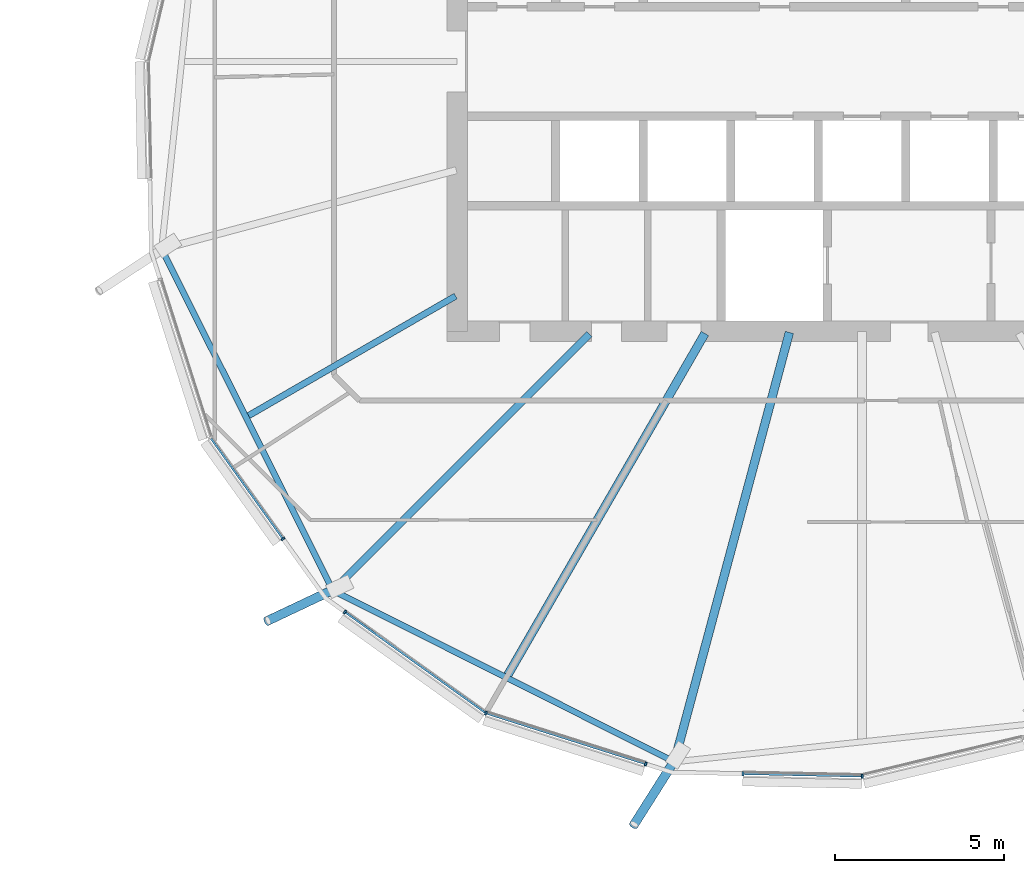
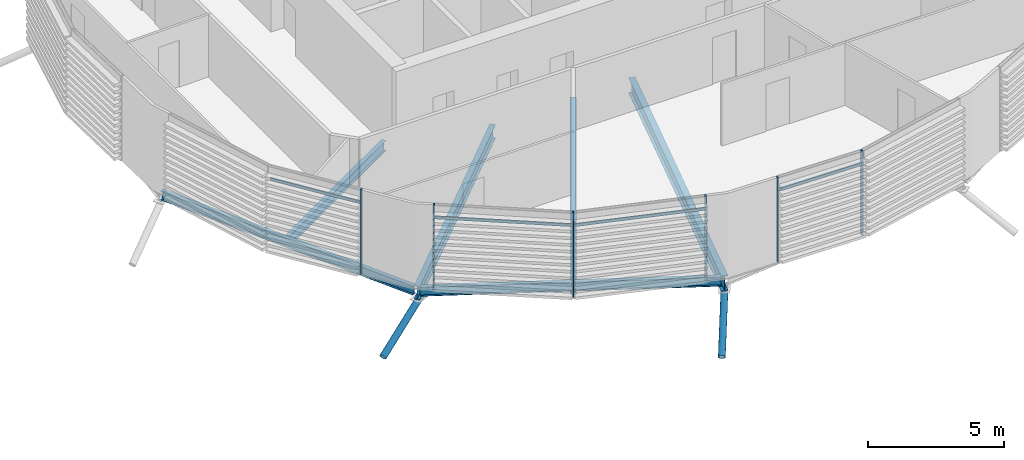
# One storey, part 12 of 37: 12 members, 6 beams, 1 element without a shape of its own.
"""IFC4 building model written with IfcOpenShell, lengths in metres."""

from ifc_helpers import new_model, si_unit, direction, frame, origin, origin_2d, place, context, subcontext, project, spatial, rectangle, hollow_circle, i_section, extrude, clip, halfspace, material, material_profile, profile_set, type_object, element, aggregate, save


model = new_model("IFC4")

# Units and contexts
model_context = context("Model", 3, precision=1e-05, world=origin(), true_north=direction((0.0, 1.0)))
body_context = subcontext(model_context, "Body", "Model", "MODEL_VIEW")
ifc_project = project(units=[si_unit("LENGTHUNIT", "METRE"), si_unit("AREAUNIT", "SQUARE_METRE"), si_unit("VOLUMEUNIT", "CUBIC_METRE"), si_unit("PLANEANGLEUNIT", "RADIAN"), si_unit("MASSUNIT", "GRAM", prefix="KILO")], contexts=[model_context])

# Site, building, storey
site_placement = place(None, origin())
site = spatial("IfcSite", under=ifc_project, at=site_placement, CompositionType="ELEMENT")
building_placement = place(site_placement, origin())
building = spatial("IfcBuilding", under=site, at=building_placement, Name="Rimbun Link Towers", CompositionType="ELEMENT")
storey_placement = place(building_placement, frame((0.0, 0.0, 162.699951171875)))
storey = spatial("IfcBuildingStorey", under=building, at=storey_placement, Name="L39", CompositionType="ELEMENT", Elevation=162.699951171875)

# Curtain wall, members
ifc_material_1 = material(Name="Aluminium 6063-T6 and low-iron glass", Category="aluminium")
curtain_wall_type = type_object("IfcCurtainWallType", Name="CW1-Z3 unitised vision wall (zone 3)", PredefinedType="NOTDEFINED", material=ifc_material_1)
curtain_wall_placement = place(storey_placement, origin())
curtain_wall = element("IfcCurtainWall", 1, at=curtain_wall_placement, inside=storey, type_object=curtain_wall_type, Name="CW1 L39 T2", PredefinedType="NOTDEFINED")
ifc_material_2 = material(Name="Aluminium 6063-T6", Category="aluminium")
ifc_material_profile_1 = material_profile(ifc_material_2, rectangle(XDim=0.1201171875, YDim=0.06005859375, at=origin_2d()), Name="MULLION 60X120")
ifc_profile_set_1 = profile_set([ifc_material_profile_1], Name="Aluminium 6063-T6")
member_type_1 = type_object("IfcMemberType", Name="CW1 mullion 60X120", PredefinedType="MULLION", material=ifc_profile_set_1)
member_1_placement = place(storey_placement, frame((14.583251953125, -14.15283203125, 0.0), z_axis=(0.0, 0.0, 1.0), x_axis=(-0.812469429261, -0.583003796314, 0.0)))
member_1 = element("IfcMember", 2, at=member_1_placement, type_object=member_type_1, Name="CW1 mullion", PredefinedType="MULLION", context=body_context, shape_type="SweptSolid", body=[
    extrude(rectangle(XDim=0.1201171875, YDim=0.06005859375, at=origin_2d()), origin(), (0.0, 0.0, 1.0), 3.800048828125),
])
member_2_placement = place(storey_placement, frame((20.599365234375, -19.3203125, 0.0), z_axis=(0.0, 0.0, 1.0), x_axis=(-0.448577408247, -0.893743983929, 0.0)))
member_2 = element("IfcMember", 3, at=member_2_placement, type_object=member_type_1, Name="CW1 mullion", PredefinedType="MULLION", context=body_context, shape_type="SweptSolid", body=[
    extrude(rectangle(XDim=0.1201171875, YDim=0.06005859375, at=origin_2d()), origin(), (0.0, 0.0, 1.0), 3.800048828125),
])
member_3_placement = place(storey_placement, frame((16.419189453125, -16.321533203125, 0.0), z_axis=(0.0, 0.0, 1.0), x_axis=(-0.583003796314, -0.812469429261, 0.0)))
member_3 = element("IfcMember", 4, at=member_3_placement, type_object=member_type_1, Name="CW1 mullion", PredefinedType="MULLION", context=body_context, shape_type="SweptSolid", body=[
    extrude(rectangle(XDim=0.1201171875, YDim=0.06005859375, at=origin_2d()), origin(), (0.0, 0.0, 1.0), 3.800048828125),
])
member_4_placement = place(storey_placement, frame((25.3388671875, -20.828369140625, 0.0), z_axis=(0.0, 0.0, 1.0), x_axis=(-0.303081920912, -0.952964505749, 0.0)))
member_4 = element("IfcMember", 5, at=member_4_placement, type_object=member_type_1, Name="CW1 mullion", PredefinedType="MULLION", context=body_context, shape_type="SweptSolid", body=[
    extrude(rectangle(XDim=0.1201171875, YDim=0.06005859375, at=origin_2d()), origin(), (0.0, 0.0, 1.0), 3.800048828125),
])
member_5_placement = place(storey_placement, frame((31.75634765625, -21.19189453125, 0.0), z_axis=(0.0, 0.0, 1.0), x_axis=(0.106647052549, -0.994296940648, 0.0)))
member_5 = element("IfcMember", 6, at=member_5_placement, type_object=member_type_1, Name="CW1 mullion", PredefinedType="MULLION", context=body_context, shape_type="SweptSolid", body=[
    extrude(rectangle(XDim=0.1201171875, YDim=0.06005859375, at=origin_2d()), origin(), (0.0, 0.0, 1.0), 3.800048828125),
])
member_6_placement = place(storey_placement, frame((28.2177734375, -21.117919921875, 0.0), z_axis=(0.0, 0.0, 1.0), x_axis=(-0.021058803518, -0.999778238808, 0.0)))
member_6 = element("IfcMember", 7, at=member_6_placement, type_object=member_type_1, Name="CW1 mullion", PredefinedType="MULLION", context=body_context, shape_type="SweptSolid", body=[
    extrude(rectangle(XDim=0.1201171875, YDim=0.06005859375, at=origin_2d()), origin(), (0.0, 0.0, 1.0), 3.800048828125),
])
ifc_material_3 = material(Name="Aluminium 6063-T6", Category="aluminium")
ifc_material_profile_2 = material_profile(ifc_material_3, rectangle(XDim=0.06005859375, YDim=0.1201171875, at=origin_2d()), Name="TRANSOM 60X120")
ifc_profile_set_2 = profile_set([ifc_material_profile_2], Name="Aluminium 6063-T6")
member_type_2 = type_object("IfcMemberType", Name="CW1 transom 60X120", PredefinedType="USERDEFINED", material=ifc_profile_set_2)
member_7_placement = place(storey_placement, frame((14.5673828125, -14.127197265625, 3.199951171875), z_axis=(-0.583014195168, 0.812461967253, 0.0), x_axis=(-0.812461967253, -0.583014195168, 0.0)))
member_7 = element("IfcMember", 8, at=member_7_placement, type_object=member_type_2, Name="CW1 transom", ObjectType="TRANSOM", PredefinedType="USERDEFINED", context=body_context, shape_type="SweptSolid", body=[
    extrude(rectangle(XDim=0.06005859375, YDim=0.1201171875, at=origin_2d()), origin(), (0.0, 0.0, 1.0), 3.625244140625),
])
member_8_placement = place(storey_placement, frame((20.568115234375, -19.296142578125, 3.199951171875), z_axis=(-0.812486735758, 0.582979677362, 0.0), x_axis=(-0.582979677362, -0.812486735758, 0.0)))
member_8 = element("IfcMember", 9, at=member_8_placement, type_object=member_type_2, Name="CW1 transom", ObjectType="TRANSOM", PredefinedType="USERDEFINED", context=body_context, shape_type="SweptSolid", body=[
    extrude(rectangle(XDim=0.06005859375, YDim=0.1201171875, at=origin_2d()), origin(), (0.0, 0.0, 1.0), 5.0751953125),
])
member_9_placement = place(storey_placement, frame((25.310791015625, -20.8173828125, 3.199951171875), z_axis=(-0.952963694266, 0.303084472401, 0.0), x_axis=(-0.303084472401, -0.952963694266, 0.0)))
member_9 = element("IfcMember", 10, at=member_9_placement, type_object=member_type_2, Name="CW1 transom", ObjectType="TRANSOM", PredefinedType="USERDEFINED", context=body_context, shape_type="SweptSolid", body=[
    extrude(rectangle(XDim=0.06005859375, YDim=0.1201171875, at=origin_2d()), origin(), (0.0, 0.0, 1.0), 4.904052734375),
])
member_10_placement = place(storey_placement, frame((31.71875, -21.189453125, 3.199951171875), z_axis=(-0.999778918494, 0.021026510279, 0.0), x_axis=(-0.021026510279, -0.999778918494, 0.0)))
member_10 = element("IfcMember", 11, at=member_10_placement, type_object=member_type_2, Name="CW1 transom", ObjectType="TRANSOM", PredefinedType="USERDEFINED", context=body_context, shape_type="SweptSolid", body=[
    extrude(rectangle(XDim=0.06005859375, YDim=0.1201171875, at=origin_2d()), origin(), (0.0, 0.0, 1.0), 3.4716796875),
])
aggregate(curtain_wall, [member_1, member_2, member_3, member_4, member_5, member_6, member_7, member_8, member_9, member_10])

# Members
ifc_material_4 = material(Name="Steel S355J2H", Category="steel")
ifc_material_profile_3 = material_profile(ifc_material_4, hollow_circle(Radius=0.136474609375, WallThickness=0.012451171875, at=origin_2d()), Name="CHS 273x12.5")
ifc_profile_set_3 = profile_set([ifc_material_profile_3], Name="Steel S355J2H")
member_type_3 = type_object("IfcMemberType", Name="Floor edge link CHS 273x12.5", PredefinedType="BRACE", material=ifc_profile_set_3)
member_11_placement = place(storey_placement, frame((16.099853515625, -15.650146484375, -0.871826171875), z_axis=(-0.793141178925, -0.37474810268, -0.48009470923), x_axis=(0.427201305425, -0.904156537687, 0.0)))
element("IfcMember", 12, at=member_11_placement, inside=storey, type_object=member_type_3, Name="Floor edge link T2 L39 12", PredefinedType="BRACE", context=body_context, shape_type="Clipping", body=[
    clip(extrude(hollow_circle(Radius=0.136474609375, WallThickness=0.012451171875, at=origin_2d()), frame((0.0, 0.0, -0.519775390625)), (0.0, 0.0, 1.0), 3.048095703125), halfspace(frame((0.0, 0.0, -0.244384765625), z_axis=(0.0, 0.877216660905, -0.48009470923)), False)),
])
member_12_placement = place(storey_placement, frame((26.198974609375, -20.716796875, -0.952392578125), z_axis=(-0.467684820854, -0.73894946416, -0.48499958532), x_axis=(0.844982633078, -0.534793745098, 0.0)))
element("IfcMember", 13, at=member_12_placement, inside=storey, type_object=member_type_3, Name="Floor edge link T2 L39 14", PredefinedType="BRACE", context=body_context, shape_type="Clipping", body=[
    clip(extrude(hollow_circle(Radius=0.136474609375, WallThickness=0.012451171875, at=origin_2d()), frame((0.0, 0.0, -0.512939453125)), (0.0, 0.0, 1.0), 3.135498046875), halfspace(frame((0.0, 0.0, -0.2412109375), z_axis=(0.0, 0.874514380808, -0.48499958532)), False)),
])

# Beams
ifc_material_5 = material(Name="Steel S355J2", Category="steel")
ifc_material_profile_4 = material_profile(ifc_material_5, i_section(OverallWidth=0.177978515625, OverallDepth=0.406494140625, WebThickness=0.0078125, FlangeThickness=0.0126953125, at=origin_2d()), Name="UB 406x178x60")
ifc_profile_set_4 = profile_set([ifc_material_profile_4], Name="Steel S355J2")
beam_type_1 = type_object("IfcBeamType", Name="UB 406x178x60", PredefinedType="BEAM", material=ifc_profile_set_4)
beam_1_placement = place(storey_placement, frame((11.033447265625, -5.660400390625, -0.353271484375), z_axis=(0.448533294644, -0.893766123544, 0.0), x_axis=(0.893766123544, 0.448533294644, 0.0)))
element("IfcBeam", 14, at=beam_1_placement, inside=storey, type_object=beam_type_1, Name="Edge beam T2 L39 10-12", PredefinedType="BEAM", context=body_context, shape_type="SweptSolid", body=[
    extrude(i_section(OverallWidth=0.177978515625, OverallDepth=0.406494140625, WebThickness=0.0078125, FlangeThickness=0.0126953125, at=origin_2d()), origin(), (0.0, 0.0, 1.0), 11.095703125),
])
beam_2_placement = place(storey_placement, frame((16.172607421875, -15.73974609375, -0.353271484375), z_axis=(0.893769188374, -0.448527187485, 0.0), x_axis=(0.448527187485, 0.893769188374, 0.0)))
element("IfcBeam", 15, at=beam_2_placement, inside=storey, type_object=beam_type_1, Name="Edge beam T2 L39 12-14", PredefinedType="BEAM", context=body_context, shape_type="SweptSolid", body=[
    extrude(i_section(OverallWidth=0.177978515625, OverallDepth=0.406494140625, WebThickness=0.0078125, FlangeThickness=0.0126953125, at=origin_2d()), origin(), (0.0, 0.0, 1.0), 11.072998046875),
])
ifc_material_6 = material(Name="Steel S355J2", Category="steel")
ifc_material_profile_5 = material_profile(ifc_material_6, i_section(OverallWidth=0.18994140625, OverallDepth=0.453369140625, WebThickness=0.008544921875, FlangeThickness=0.0126953125, at=origin_2d()), Name="UB 457x191x67")
ifc_profile_set_5 = profile_set([ifc_material_profile_5], Name="Steel S355J2")
beam_type_2 = type_object("IfcBeamType", Name="UB 457x191x67", PredefinedType="BEAM", material=ifc_profile_set_5)
beam_3_placement = place(storey_placement, frame((19.70166015625, -6.9560546875, -0.376708984375), z_axis=(-0.866023840316, -0.500002707997, 0.0), x_axis=(0.500002707997, -0.866023840316, 0.0)))
element("IfcBeam", 16, at=beam_3_placement, inside=storey, type_object=beam_type_2, Name="Radial beam T2 L39 11", PredefinedType="BEAM", context=body_context, shape_type="SweptSolid", body=[
    extrude(i_section(OverallWidth=0.18994140625, OverallDepth=0.453369140625, WebThickness=0.008544921875, FlangeThickness=0.0126953125, at=origin_2d()), origin(), (0.0, 0.0, 1.0), 7.08837890625),
])
ifc_material_7 = material(Name="Steel S355J2", Category="steel")
ifc_material_profile_6 = material_profile(ifc_material_7, i_section(OverallWidth=0.2275390625, OverallDepth=0.6025390625, WebThickness=0.010498046875, FlangeThickness=0.014892578125, at=origin_2d()), Name="UB 610x229x101")
ifc_profile_set_6 = profile_set([ifc_material_profile_6], Name="Steel S355J2")
beam_type_3 = type_object("IfcBeamType", Name="UB 610x229x101", PredefinedType="BEAM", material=ifc_profile_set_6)
beam_4_placement = place(storey_placement, frame((23.668701171875, -8.081298828125, -0.451171875), z_axis=(-0.707106781187, -0.707106781187, 0.0), x_axis=(0.707106781187, -0.707106781187, 0.0)))
element("IfcBeam", 17, at=beam_4_placement, inside=storey, type_object=beam_type_3, Name="Radial beam T2 L39 12", PredefinedType="BEAM", context=body_context, shape_type="SweptSolid", body=[
    extrude(i_section(OverallWidth=0.2275390625, OverallDepth=0.6025390625, WebThickness=0.010498046875, FlangeThickness=0.014892578125, at=origin_2d()), origin(), (0.0, 0.0, 1.0), 10.753662109375),
])
ifc_material_8 = material(Name="Steel S355J2", Category="steel")
ifc_material_profile_7 = material_profile(ifc_material_8, i_section(OverallWidth=0.253662109375, OverallDepth=0.68359375, WebThickness=0.012451171875, FlangeThickness=0.01904296875, at=origin_2d()), Name="UB 686x254x140")
ifc_profile_set_7 = profile_set([ifc_material_profile_7], Name="Steel S355J2")
beam_type_4 = type_object("IfcBeamType", Name="UB 686x254x140", PredefinedType="BEAM", material=ifc_profile_set_7)
beam_5_placement = place(storey_placement, frame((27.093994140625, -8.064208984375, -0.49169921875), z_axis=(-0.499989438348, -0.866031501471, 0.0), x_axis=(0.866031501471, -0.499989438348, 0.0)))
element("IfcBeam", 18, at=beam_5_placement, inside=storey, type_object=beam_type_4, Name="Radial beam T2 L39 13", PredefinedType="BEAM", context=body_context, shape_type="SweptSolid", body=[
    extrude(i_section(OverallWidth=0.253662109375, OverallDepth=0.68359375, WebThickness=0.012451171875, FlangeThickness=0.01904296875, at=origin_2d()), origin(), (0.0, 0.0, 1.0), 11.688720703125),
])
beam_6_placement = place(storey_placement, frame((29.597412109375, -8.03369140625, -0.49169921875), z_axis=(-0.258823425511, -0.965924652552, 0.0), x_axis=(0.965924652552, -0.258823425511, 0.0)))
element("IfcBeam", 19, at=beam_6_placement, inside=storey, type_object=beam_type_4, Name="Radial beam T2 L39 14", PredefinedType="BEAM", context=body_context, shape_type="SweptSolid", body=[
    extrude(i_section(OverallWidth=0.253662109375, OverallDepth=0.68359375, WebThickness=0.012451171875, FlangeThickness=0.01904296875, at=origin_2d()), origin(), (0.0, 0.0, 1.0), 13.180419921875),
])

save(model, "model.ifc")
